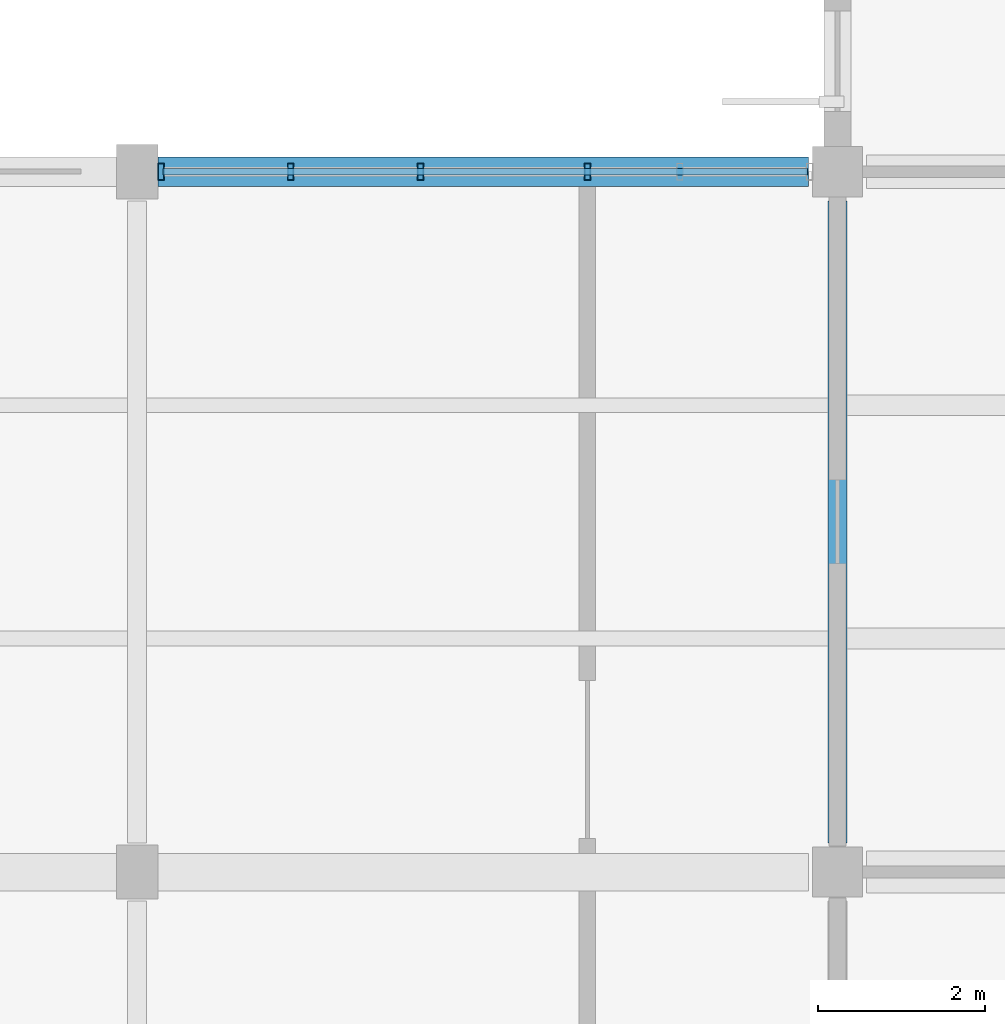
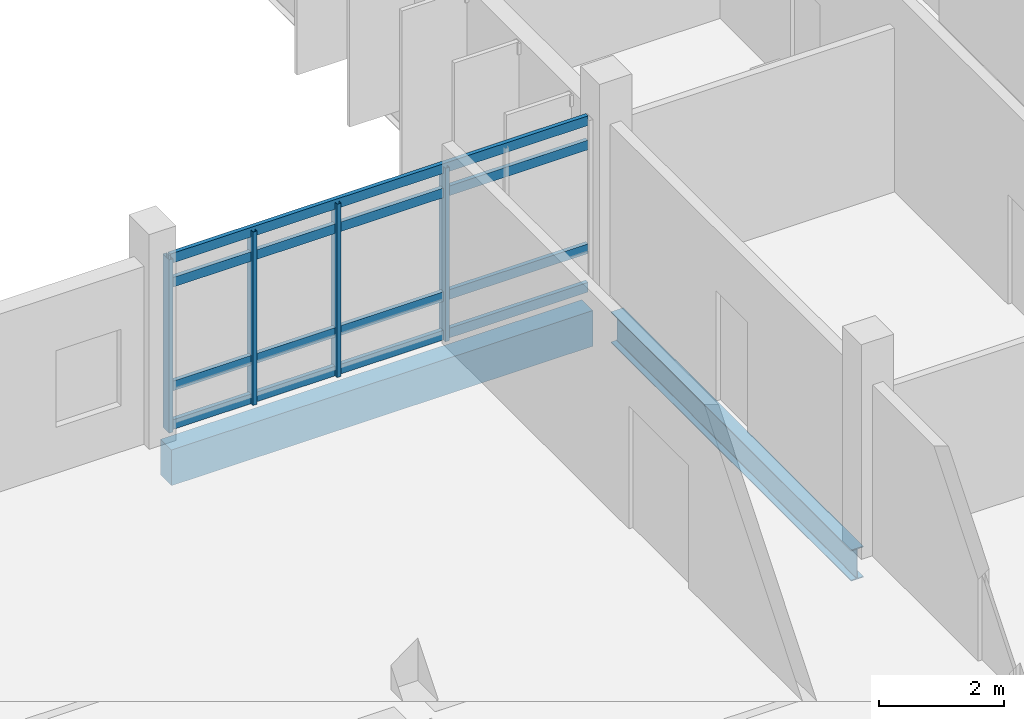
# One storey, part 12 of 101: 8 members, 2 beams, 1 element without a shape of its own.
"""IFC4 building model written with IfcOpenShell, lengths in metres."""

from ifc_helpers import new_model, si_unit, direction, frame, origin, origin_2d, place, context, subcontext, project, spatial, rectangle, hollow_rectangle, i_section, extrude, material, layer, layer_set, material_profile, profile_set, type_object, element, aggregate, save


model = new_model("IFC4")

# Units and contexts
model_context = context("Model", 3, precision=1e-05, world=origin(), true_north=direction((0.0, 1.0)))
body_context = subcontext(model_context, "Body", "Model", "MODEL_VIEW")
ifc_project = project(units=[si_unit("LENGTHUNIT", "METRE"), si_unit("AREAUNIT", "SQUARE_METRE"), si_unit("VOLUMEUNIT", "CUBIC_METRE"), si_unit("PLANEANGLEUNIT", "RADIAN"), si_unit("MASSUNIT", "GRAM", prefix="KILO")], contexts=[model_context])

# Site, building, storey
site_placement = place(None, origin())
site = spatial("IfcSite", under=ifc_project, at=site_placement, CompositionType="ELEMENT")
building_placement = place(site_placement, origin())
building = spatial("IfcBuilding", under=site, at=building_placement, Name="Vireocrest Preparatory School", CompositionType="ELEMENT")
storey_placement = place(building_placement, frame((0.0, 0.0, 4.800048828125)))
storey = spatial("IfcBuildingStorey", under=building, at=storey_placement, Name="L01", CompositionType="ELEMENT", Elevation=4.800048828125)

# Curtain wall, members
ifc_material_1 = material(Name="Thermally broken aluminium EN AW-6063-T6", Category="aluminium")
ifc_layer = layer(ifc_material_1, 0.179931640625)
ifc_layer_set = layer_set([ifc_layer], Name="Thermally broken aluminium EN AW-6063-T6")
curtain_wall_type = type_object("IfcCurtainWallType", Name="Library Reading Bay Glazing 7600x4200", PredefinedType="USERDEFINED", material=ifc_layer_set)
curtain_wall_placement = place(storey_placement, origin())
curtain_wall = element("IfcCurtainWall", 1, at=curtain_wall_placement, inside=storey, type_object=curtain_wall_type, Name="Curtain Wall CW16 CW_L01_CW16_0338_0522_048", ObjectType="CURTAIN WALL", PredefinedType="USERDEFINED")
ifc_material_profile_1 = material_profile(ifc_material_1, hollow_rectangle(XDim=0.074951171875, YDim=0.199951171875, WallThickness=0.0048828125, at=origin_2d()), Name="ALU 75x200x5")
ifc_profile_set_1 = profile_set([ifc_material_profile_1], Name="Thermally broken aluminium EN AW-6063-T6")
member_type_1 = type_object("IfcMemberType", Name="CW Mullion 75x200x5", PredefinedType="MULLION", material=ifc_profile_set_1)
member_1_placement = place(storey_placement, frame((33.885009765625, 52.199951171875, 0.0), z_axis=(0.0, 0.0, 1.0), x_axis=(1.0, 0.0, 0.0)))
member_1 = element("IfcMember", 2, at=member_1_placement, type_object=member_type_1, Name="CW Mullion ML3 CW_L01_CW16_0338_0522_048-1", PredefinedType="MULLION", context=body_context, shape_type="SweptSolid", body=[
    extrude(hollow_rectangle(XDim=0.074951171875, YDim=0.199951171875, WallThickness=0.0048828125, at=origin_2d()), origin(), (0.0, 0.0, 1.0), 3.39501953125),
])
member_2_placement = place(storey_placement, frame((35.44091796875, 52.199951171875, 0.0), z_axis=(0.0, 0.0, 1.0), x_axis=(1.0, 0.0, 0.0)))
member_2 = element("IfcMember", 3, at=member_2_placement, type_object=member_type_1, Name="CW Mullion ML3 CW_L01_CW16_0338_0522_048-2", PredefinedType="MULLION", context=body_context, shape_type="SweptSolid", body=[
    extrude(hollow_rectangle(XDim=0.074951171875, YDim=0.199951171875, WallThickness=0.0048828125, at=origin_2d()), origin(), (0.0, 0.0, 1.0), 3.39501953125),
])
member_3_placement = place(storey_placement, frame((36.9970703125, 52.199951171875, 0.0), z_axis=(0.0, 0.0, 1.0), x_axis=(1.0, 0.0, 0.0)))
member_3 = element("IfcMember", 4, at=member_3_placement, type_object=member_type_1, Name="CW Mullion ML3 CW_L01_CW16_0338_0522_048-3", PredefinedType="MULLION", context=body_context, shape_type="SweptSolid", body=[
    extrude(hollow_rectangle(XDim=0.074951171875, YDim=0.199951171875, WallThickness=0.0048828125, at=origin_2d()), origin(), (0.0, 0.0, 1.0), 3.39501953125),
])
member_4_placement = place(storey_placement, frame((39.0, 52.199951171875, 0.0), z_axis=(0.0, 0.0, 1.0), x_axis=(1.0, 0.0, 0.0)))
member_4 = element("IfcMember", 5, at=member_4_placement, type_object=member_type_1, Name="CW Mullion ML3 CW_L01_CW16_0338_0522_048-4", PredefinedType="MULLION", context=body_context, shape_type="SweptSolid", body=[
    extrude(hollow_rectangle(XDim=0.074951171875, YDim=0.199951171875, WallThickness=0.0048828125, at=origin_2d()), origin(), (0.0, 0.0, 1.0), 3.39501953125),
])
ifc_material_profile_2 = material_profile(ifc_material_1, hollow_rectangle(XDim=0.074951171875, YDim=0.18994140625, WallThickness=0.00390625, at=origin_2d()), Name="ALU 75x190x4")
ifc_profile_set_2 = profile_set([ifc_material_profile_2], Name="Thermally broken aluminium EN AW-6063-T6")
member_type_2 = type_object("IfcMemberType", Name="CW Transom 75x190x4", PredefinedType="USERDEFINED", material=ifc_profile_set_2)
member_5_placement = place(storey_placement, frame((33.909912109375, 52.199951171875, 0.094970703125), z_axis=(1.0, 0.0, 0.0), x_axis=(0.0, 1.0, 0.0)))
member_5 = element("IfcMember", 6, at=member_5_placement, type_object=member_type_2, Name="CW Transom TR3 CW_L01_CW16_0338_0522_048-1", ObjectType="TRANSOM", PredefinedType="USERDEFINED", context=body_context, shape_type="SweptSolid", body=[
    extrude(hollow_rectangle(XDim=0.074951171875, YDim=0.18994140625, WallThickness=0.00390625, at=origin_2d()), origin(), (0.0, 0.0, 1.0), 7.72998046875),
])
member_6_placement = place(storey_placement, frame((33.909912109375, 52.199951171875, 0.849853515625), z_axis=(1.0, 0.0, 0.0), x_axis=(0.0, 1.0, 0.0)))
member_6 = element("IfcMember", 7, at=member_6_placement, type_object=member_type_2, Name="CW Transom TR3 CW_L01_CW16_0338_0522_048-2", ObjectType="TRANSOM", PredefinedType="USERDEFINED", context=body_context, shape_type="SweptSolid", body=[
    extrude(hollow_rectangle(XDim=0.074951171875, YDim=0.18994140625, WallThickness=0.00390625, at=origin_2d()), origin(), (0.0, 0.0, 1.0), 7.72998046875),
])
member_7_placement = place(storey_placement, frame((33.909912109375, 52.199951171875, 2.8798828125), z_axis=(1.0, 0.0, 0.0), x_axis=(0.0, 1.0, 0.0)))
member_7 = element("IfcMember", 8, at=member_7_placement, type_object=member_type_2, Name="CW Transom TR3 CW_L01_CW16_0338_0522_048-3", ObjectType="TRANSOM", PredefinedType="USERDEFINED", context=body_context, shape_type="SweptSolid", body=[
    extrude(hollow_rectangle(XDim=0.074951171875, YDim=0.18994140625, WallThickness=0.00390625, at=origin_2d()), origin(), (0.0, 0.0, 1.0), 7.72998046875),
])
member_8_placement = place(storey_placement, frame((33.909912109375, 52.199951171875, 3.35498046875), z_axis=(1.0, 0.0, 0.0), x_axis=(0.0, 1.0, 0.0)))
member_8 = element("IfcMember", 9, at=member_8_placement, type_object=member_type_2, Name="CW Transom TR3 CW_L01_CW16_0338_0522_048-4", ObjectType="TRANSOM", PredefinedType="USERDEFINED", context=body_context, shape_type="SweptSolid", body=[
    extrude(hollow_rectangle(XDim=0.074951171875, YDim=0.18994140625, WallThickness=0.00390625, at=origin_2d()), origin(), (0.0, 0.0, 1.0), 7.72998046875),
])
aggregate(curtain_wall, [member_1, member_2, member_3, member_4, member_5, member_6, member_7, member_8])

# Beams
ifc_material_2 = material(Name="Structural steel ASTM A992 Grade 50", Category="steel")
ifc_material_profile_3 = material_profile(ifc_material_2, i_section(OverallWidth=0.22802734375, OverallDepth=0.60791015625, WebThickness=0.01123046875, FlangeThickness=0.017333984375, FilletRadius=0.01611328125, at=origin_2d()), Name="W24X76")
ifc_profile_set_3 = profile_set([ifc_material_profile_3], Name="Structural steel ASTM A992 Grade 50")
beam_type_1 = type_object("IfcBeamType", Name="Gallery Steel Girder W24X76", PredefinedType="BEAM", material=ifc_profile_set_3)
beam_1_placement = place(storey_placement, frame((42.0, 44.14990234375, -0.583984375), z_axis=(0.0, 1.0, 0.0), x_axis=(-1.0, 0.0, 0.0)))
element("IfcBeam", 10, at=beam_1_placement, inside=storey, type_object=beam_type_1, Name="Primary Girder SB3 L01-0382", PredefinedType="BEAM", context=body_context, shape_type="SweptSolid", body=[
    extrude(i_section(OverallWidth=0.22802734375, OverallDepth=0.60791015625, WebThickness=0.01123046875, FlangeThickness=0.017333984375, FilletRadius=0.01611328125, at=origin_2d()), origin(), (0.0, 0.0, 1.0), 7.7001953125),
])
ifc_material_3 = material(Name="Concrete 40 MPa", Category="concrete")
ifc_material_profile_4 = material_profile(ifc_material_3, rectangle(XDim=0.35009765625, YDim=0.699951171875, at=origin_2d()), Name="RC 350x700")
ifc_profile_set_4 = profile_set([ifc_material_profile_4], Name="Concrete 40 MPa")
beam_type_2 = type_object("IfcBeamType", Name="RC Laboratory Girder 350x700", PredefinedType="BEAM", material=ifc_profile_set_4)
beam_2_placement = place(storey_placement, frame((33.85009765625, 52.199951171875, -0.630126953125), z_axis=(1.0, 0.0, 0.0), x_axis=(0.0, 1.0, 0.0)))
element("IfcBeam", 11, at=beam_2_placement, inside=storey, type_object=beam_type_2, Name="Primary Girder B06 L01-0310", PredefinedType="BEAM", context=body_context, shape_type="SweptSolid", body=[
    extrude(rectangle(XDim=0.35009765625, YDim=0.699951171875, at=origin_2d()), origin(), (0.0, 0.0, 1.0), 7.7998046875),
])

save(model, "model.ifc")
